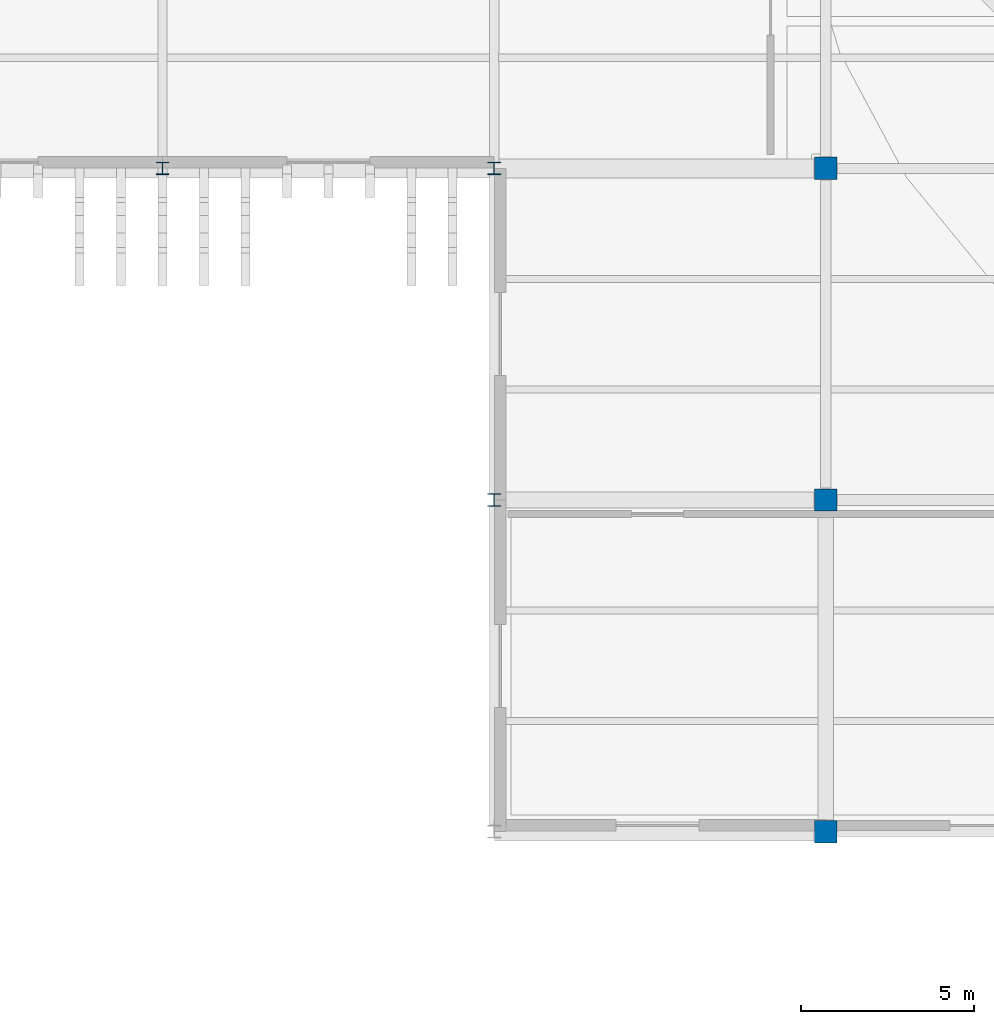
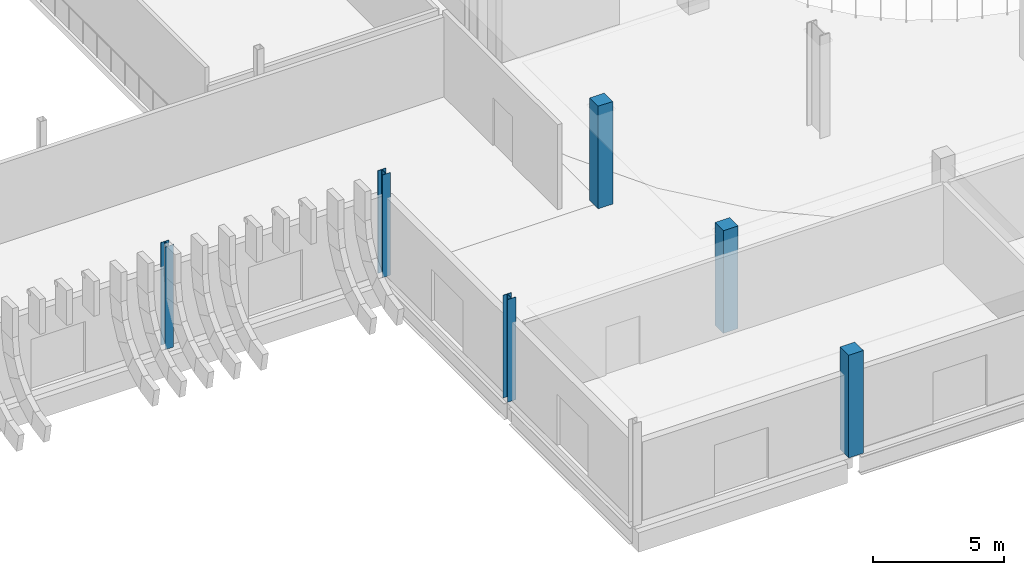
# One storey, part 2 of 100: 6 columns.
"""IFC4 building model written with IfcOpenShell, lengths in metres."""

from ifc_helpers import new_model, si_unit, direction, frame, origin, origin_2d, place, context, subcontext, project, spatial, rectangle, i_section, extrude, material, material_profile, profile_set, type_object, element, save


model = new_model("IFC4")

# Units and contexts
model_context = context("Model", 3, precision=1e-05, world=origin(), true_north=direction((0.0, 1.0)))
body_context = subcontext(model_context, "Body", "Model", "MODEL_VIEW")
ifc_project = project(units=[si_unit("LENGTHUNIT", "METRE"), si_unit("AREAUNIT", "SQUARE_METRE"), si_unit("VOLUMEUNIT", "CUBIC_METRE"), si_unit("PLANEANGLEUNIT", "RADIAN"), si_unit("MASSUNIT", "GRAM", prefix="KILO")], contexts=[model_context])

# Site, building, storey
site_placement = place(None, origin())
site = spatial("IfcSite", under=ifc_project, at=site_placement, CompositionType="ELEMENT")
building_placement = place(site_placement, origin())
building = spatial("IfcBuilding", under=site, at=building_placement, Name="Caelomonte Colonnade Arena", CompositionType="ELEMENT")
storey_placement = place(building_placement, origin())
storey = spatial("IfcBuildingStorey", under=building, at=storey_placement, Name="L00", CompositionType="ELEMENT", Elevation=0.0)

# Columns
ifc_material_1 = material(Name="Concrete C40/50", Category="concrete")
ifc_material_profile_1 = material_profile(ifc_material_1, rectangle(XDim=0.64990234375, YDim=0.64990234375, at=origin_2d()), Name="RC650X650")
ifc_profile_set_1 = profile_set([ifc_material_profile_1], Name="Concrete C40/50")
column_type_1 = type_object("IfcColumnType", Name="STR-COL-RC65", PredefinedType="COLUMN", material=ifc_profile_set_1)
for number, where, z_axis, x_axis, name in (
    (1, (57.60009765625, 9.60009765625, 0.0), (0.0, 0.0, 1.0), (1.0, 0.0, 0.0), "L00 column (57.6, 9.6)"),
    (2, (57.60009765625, 19.199951171875, 0.0), (0.0, 0.0, 1.0), (1.0, 0.0, 0.0), "L00 column (57.6, 19.2)"),
    (3, (57.60009765625, 28.800048828125, 0.0), (0.0, 0.0, 1.0), (1.0, 0.0, 0.0), "L00 column (57.6, 28.8)"),
):
    element("IfcColumn", number, at=place(storey_placement, frame(where, z_axis=z_axis, x_axis=x_axis)), inside=storey, type_object=column_type_1, Name=name, PredefinedType="COLUMN", context=body_context, shape_type="SweptSolid", body=[
        extrude(rectangle(XDim=0.64990234375, YDim=0.64990234375, at=origin_2d()), origin(), (0.0, 0.0, 1.0), 4.800048828125),
    ])
ifc_material_2 = material(Name="Wide-flange steel ASTM A992 Grade 50", Category="steel")
ifc_material_profile_2 = material_profile(ifc_material_2, i_section(OverallWidth=0.368896484375, OverallDepth=0.356201171875, WebThickness=0.01123046875, FlangeThickness=0.01806640625, FilletRadius=0.01513671875, at=origin_2d()), Name="W14X90")
ifc_profile_set_2 = profile_set([ifc_material_profile_2], Name="Wide-flange steel ASTM A992 Grade 50")
column_type_2 = type_object("IfcColumnType", Name="STR-COL-W14B", PredefinedType="COLUMN", material=ifc_profile_set_2)
for number, where, z_axis, x_axis, name in (
    (4, (38.39990234375, 28.800048828125, 0.0), (0.0, 0.0, 1.0), (1.0, 0.0, 0.0), "L00 column (38.4, 28.8)"),
    (5, (48.0, 19.199951171875, 0.0), (0.0, 0.0, 1.0), (1.0, 0.0, 0.0), "L00 column (48.0, 19.2)"),
    (6, (48.0, 28.800048828125, 0.0), (0.0, 0.0, 1.0), (1.0, 0.0, 0.0), "L00 column (48.0, 28.8)"),
):
    element("IfcColumn", number, at=place(storey_placement, frame(where, z_axis=z_axis, x_axis=x_axis)), inside=storey, type_object=column_type_2, Name=name, PredefinedType="COLUMN", context=body_context, shape_type="SweptSolid", body=[
        extrude(i_section(OverallWidth=0.368896484375, OverallDepth=0.356201171875, WebThickness=0.01123046875, FlangeThickness=0.01806640625, FilletRadius=0.01513671875, at=origin_2d()), origin(), (0.0, 0.0, 1.0), 4.800048828125),
    ])

save(model, "model.ifc")
